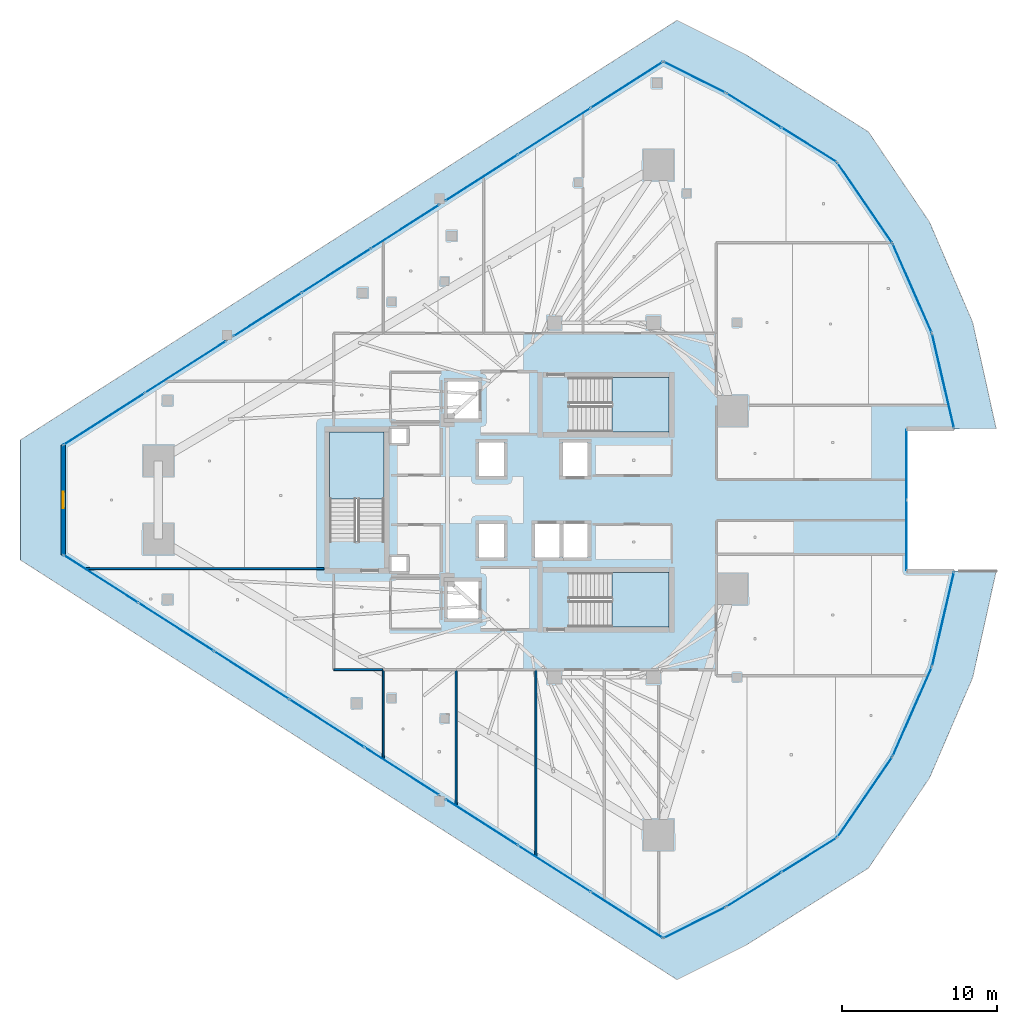
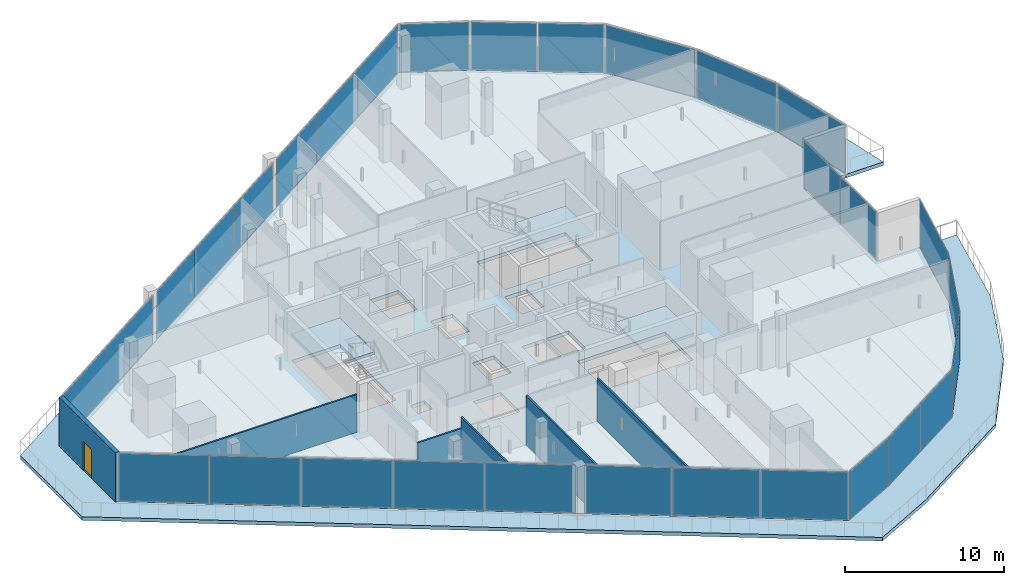
# One storey, part 24 of 37: 30 plates, 6 walls, 5 slabs, 1 door, 1 opening, 19 elements without a shape of their own.
"""IFC4 building model written with IfcOpenShell, lengths in metres."""

from ifc_helpers import new_model, si_unit, direction, frame, frame_2d, origin, origin_2d, place, context, subcontext, project, spatial, polyline, rectangle, outline, extrude, material, layer, layer_set, type_object, element, fill, aggregate, save


model = new_model("IFC4")

# Units and contexts
model_context = context("Model", 3, precision=1e-05, world=origin(), true_north=direction((0.0, 1.0)))
body_context = subcontext(model_context, "Body", "Model", "MODEL_VIEW")
ifc_project = project(units=[si_unit("LENGTHUNIT", "METRE"), si_unit("AREAUNIT", "SQUARE_METRE"), si_unit("VOLUMEUNIT", "CUBIC_METRE"), si_unit("PLANEANGLEUNIT", "RADIAN"), si_unit("MASSUNIT", "GRAM", prefix="KILO")], contexts=[model_context])

# Site, building, storey
site_placement = place(None, origin())
site = spatial("IfcSite", under=ifc_project, at=site_placement, CompositionType="ELEMENT")
building_placement = place(site_placement, origin())
building = spatial("IfcBuilding", under=site, at=building_placement, Name="Qorvath Tower", CompositionType="ELEMENT")
storey_placement = place(building_placement, frame((0.0, 0.0, 188.85009765625)))
storey = spatial("IfcBuildingStorey", under=building, at=storey_placement, Name="L43", CompositionType="ELEMENT", Elevation=188.85009765625)

# Curtain wall, plates
ifc_material_1 = material(Name="Anodised aluminium and triple low-E glass", Category="aluminium")
ifc_layer_1 = layer(ifc_material_1, 0.179931640625)
ifc_layer_set_1 = layer_set([ifc_layer_1], Name="CW-SYS-3")
curtain_wall_type = type_object("IfcCurtainWallType", Name="CW-SYS-3", PredefinedType="NOTDEFINED", material=ifc_layer_set_1)
curtain_wall_1_placement = place(storey_placement, origin())
curtain_wall_1 = element("IfcCurtainWall", 1, at=curtain_wall_1_placement, inside=storey, type_object=curtain_wall_type, Name="Curtain Wall CW-3 CW-T-L43-2.1", PredefinedType="NOTDEFINED")
ifc_material_2 = material(Name="Low-E triple insulated glass", Category="glass")
ifc_layer_2 = layer(ifc_material_2, 0.031982421875)
ifc_layer_set_2 = layer_set([ifc_layer_2], Name="CWP-GLZ-32")
plate_type = type_object("IfcPlateType", Name="CWP-GLZ-32", PredefinedType="CURTAIN_PANEL", material=ifc_layer_set_2)
plate_1_placement = place(storey_placement, frame((-52.881103515625, -5.103515625, 0.06494140625), z_axis=(0.0, 0.0, 1.0), x_axis=(0.842606647014, -0.53852951489, 0.0)))
plate_1 = element("IfcPlate", 2, at=plate_1_placement, type_object=plate_type, Name="CW-3 panel 1.1", PredefinedType="CURTAIN_PANEL", context=body_context, shape_type="SweptSolid", body=[
    extrude(rectangle(XDim=5.677734375, YDim=0.031982421875, at=origin_2d()), origin(), (0.0, 0.0, 1.0), 3.64990234375),
])
plate_2_placement = place(storey_placement, frame((-48.028564453125, -8.204833984375, 0.06494140625), z_axis=(0.0, 0.0, 1.0), x_axis=(0.842606647014, -0.53852951489, 0.0)))
plate_2 = element("IfcPlate", 3, at=plate_2_placement, type_object=plate_type, Name="CW-3 panel 2.1", PredefinedType="CURTAIN_PANEL", context=body_context, shape_type="SweptSolid", body=[
    extrude(rectangle(XDim=5.710205078125, YDim=0.031982421875, at=origin_2d()), origin(), (0.0, 0.0, 1.0), 3.64990234375),
])
plate_3_placement = place(storey_placement, frame((-43.162353515625, -11.31494140625, 0.06494140625), z_axis=(0.0, 0.0, 1.0), x_axis=(0.842606647014, -0.53852951489, 0.0)))
plate_3 = element("IfcPlate", 4, at=plate_3_placement, type_object=plate_type, Name="CW-3 panel 3.1", PredefinedType="CURTAIN_PANEL", context=body_context, shape_type="SweptSolid", body=[
    extrude(rectangle(XDim=5.710205078125, YDim=0.031982421875, at=origin_2d()), origin(), (0.0, 0.0, 1.0), 3.64990234375),
])
plate_4_placement = place(storey_placement, frame((-38.2958984375, -14.425048828125, 0.06494140625), z_axis=(0.0, 0.0, 1.0), x_axis=(0.842606647014, -0.53852951489, 0.0)))
plate_4 = element("IfcPlate", 5, at=plate_4_placement, type_object=plate_type, Name="CW-3 panel 4.1", PredefinedType="CURTAIN_PANEL", context=body_context, shape_type="SweptSolid", body=[
    extrude(rectangle(XDim=5.710205078125, YDim=0.031982421875, at=origin_2d()), origin(), (0.0, 0.0, 1.0), 3.64990234375),
])
plate_5_placement = place(storey_placement, frame((-33.443359375, -17.5263671875, 0.06494140625), z_axis=(0.0, 0.0, 1.0), x_axis=(0.842606647014, -0.53852951489, 0.0)))
plate_5 = element("IfcPlate", 6, at=plate_5_placement, type_object=plate_type, Name="CW-3 panel 5.1", PredefinedType="CURTAIN_PANEL", context=body_context, shape_type="SweptSolid", body=[
    extrude(rectangle(XDim=5.677734375, YDim=0.031982421875, at=origin_2d()), origin(), (0.0, 0.0, 1.0), 3.64990234375),
])
aggregate(curtain_wall_1, [plate_1, plate_2, plate_3, plate_4, plate_5])

curtain_wall_2_placement = place(storey_placement, origin())
curtain_wall_2 = element("IfcCurtainWall", 7, at=curtain_wall_2_placement, inside=storey, type_object=curtain_wall_type, Name="Curtain Wall CW-3 CW-T-L43-2.2", PredefinedType="NOTDEFINED")
plate_6_placement = place(storey_placement, frame((-28.284912109375, -20.823486328125, 0.06494140625), z_axis=(0.0, 0.0, 1.0), x_axis=(0.842605547852, -0.538531234683, 0.0)))
plate_6 = element("IfcPlate", 8, at=plate_6_placement, type_object=plate_type, Name="CW-3 panel 1.1", PredefinedType="CURTAIN_PANEL", context=body_context, shape_type="SweptSolid", body=[
    extrude(rectangle(XDim=5.474365234375, YDim=0.031982421875, at=origin_2d()), origin(), (0.0, 0.0, 1.0), 3.64990234375),
])
plate_7_placement = place(storey_placement, frame((-23.603759765625, -23.8154296875, 0.06494140625), z_axis=(0.0, 0.0, 1.0), x_axis=(0.842605547852, -0.538531234683, 0.0)))
plate_7 = element("IfcPlate", 9, at=plate_7_placement, type_object=plate_type, Name="CW-3 panel 2.1", PredefinedType="CURTAIN_PANEL", context=body_context, shape_type="SweptSolid", body=[
    extrude(rectangle(XDim=5.5068359375, YDim=0.031982421875, at=origin_2d()), origin(), (0.0, 0.0, 1.0), 3.64990234375),
])
plate_8_placement = place(storey_placement, frame((-18.92236328125, -26.807373046875, 0.06494140625), z_axis=(0.0, 0.0, 1.0), x_axis=(0.842605547852, -0.538531234683, 0.0)))
plate_8 = element("IfcPlate", 10, at=plate_8_placement, type_object=plate_type, Name="CW-3 panel 3.1", PredefinedType="CURTAIN_PANEL", context=body_context, shape_type="SweptSolid", body=[
    extrude(rectangle(XDim=5.474365234375, YDim=0.031982421875, at=origin_2d()), origin(), (0.0, 0.0, 1.0), 3.64990234375),
])
aggregate(curtain_wall_2, [plate_6, plate_7, plate_8])

# Curtain wall, plate
curtain_wall_3_placement = place(storey_placement, origin())
curtain_wall_3 = element("IfcCurtainWall", 11, at=curtain_wall_3_placement, inside=storey, type_object=curtain_wall_type, Name="Curtain Wall CW-3 CW-T-L43-3.1", PredefinedType="NOTDEFINED")
plate_9_placement = place(storey_placement, frame((-14.538818359375, -27.30517578125, 0.06494140625), z_axis=(0.0, 0.0, 1.0), x_axis=(0.894436035247, 0.447195906569, 0.0)))
plate_9 = element("IfcPlate", 12, at=plate_9_placement, type_object=plate_type, Name="CW-3 panel 1.1", PredefinedType="CURTAIN_PANEL", context=body_context, shape_type="SweptSolid", body=[
    extrude(rectangle(XDim=4.392578125, YDim=0.031982421875, at=origin_2d()), origin(), (0.0, 0.0, 1.0), 3.64990234375),
])
aggregate(curtain_wall_3, [plate_9])

# Curtain wall, plates
curtain_wall_4_placement = place(storey_placement, origin())
curtain_wall_4 = element("IfcCurtainWall", 13, at=curtain_wall_4_placement, inside=storey, type_object=curtain_wall_type, Name="Curtain Wall CW-3 CW-T-L43-4.1", PredefinedType="NOTDEFINED")
plate_10_placement = place(storey_placement, frame((-10.706298828125, -25.1650390625, 0.06494140625), z_axis=(0.0, 0.0, 1.0), x_axis=(0.848464403488, 0.529252450172, 0.0)))
plate_10 = element("IfcPlate", 14, at=plate_10_placement, type_object=plate_type, Name="CW-3 panel 1.1", PredefinedType="CURTAIN_PANEL", context=body_context, shape_type="SweptSolid", body=[
    extrude(rectangle(XDim=4.13623046875, YDim=0.031982421875, at=origin_2d()), origin(), (0.0, 0.0, 1.0), 3.64990234375),
])
plate_11_placement = place(storey_placement, frame((-7.1416015625, -22.94140625, 0.06494140625), z_axis=(0.0, 0.0, 1.0), x_axis=(0.848464403488, 0.529252450172, 0.0)))
plate_11 = element("IfcPlate", 15, at=plate_11_placement, type_object=plate_type, Name="CW-3 panel 2.1", PredefinedType="CURTAIN_PANEL", context=body_context, shape_type="SweptSolid", body=[
    extrude(rectangle(XDim=4.13623046875, YDim=0.031982421875, at=origin_2d()), origin(), (0.0, 0.0, 1.0), 3.64990234375),
])
aggregate(curtain_wall_4, [plate_10, plate_11])

# Curtain wall, plate
curtain_wall_5_placement = place(storey_placement, origin())
curtain_wall_5 = element("IfcCurtainWall", 16, at=curtain_wall_5_placement, inside=storey, type_object=curtain_wall_type, Name="Curtain Wall CW-3 CW-T-L43-5.1", PredefinedType="NOTDEFINED")
plate_12_placement = place(storey_placement, frame((-3.542724609375, -19.196044921875, 0.06494140625), z_axis=(0.0, 0.0, 1.0), x_axis=(0.564436196882, 0.825476698429, 0.0)))
plate_12 = element("IfcPlate", 17, at=plate_12_placement, type_object=plate_type, Name="CW-3 panel 1.1", PredefinedType="CURTAIN_PANEL", context=body_context, shape_type="SweptSolid", body=[
    extrude(rectangle(XDim=6.209228515625, YDim=0.031982421875, at=origin_2d()), origin(), (0.0, 0.0, 1.0), 3.64990234375),
])
aggregate(curtain_wall_5, [plate_12])

curtain_wall_6_placement = place(storey_placement, origin())
curtain_wall_6 = element("IfcCurtainWall", 18, at=curtain_wall_6_placement, inside=storey, type_object=curtain_wall_type, Name="Curtain Wall CW-3 CW-T-L43-6.1", PredefinedType="NOTDEFINED")
plate_13_placement = place(storey_placement, frame((-0.47900390625, -13.677734375, 0.06494140625), z_axis=(0.0, 0.0, 1.0), x_axis=(0.402206183786, 0.915549117046, 0.0)))
plate_13 = element("IfcPlate", 19, at=plate_13_placement, type_object=plate_type, Name="CW-3 panel 1.1", PredefinedType="CURTAIN_PANEL", context=body_context, shape_type="SweptSolid", body=[
    extrude(rectangle(XDim=6.208984375, YDim=0.031982421875, at=origin_2d()), origin(), (0.0, 0.0, 1.0), 3.64990234375),
])
aggregate(curtain_wall_6, [plate_13])

curtain_wall_7_placement = place(storey_placement, origin())
curtain_wall_7 = element("IfcCurtainWall", 20, at=curtain_wall_7_placement, inside=storey, type_object=curtain_wall_type, Name="Curtain Wall CW-3 CW-T-L43-7.1", PredefinedType="NOTDEFINED")
plate_14_placement = place(storey_placement, frame((1.512451171875, -7.688232421875, 0.06494140625), z_axis=(0.0, 0.0, 1.0), x_axis=(0.226069032147, 0.974111283532, 0.0)))
plate_14 = element("IfcPlate", 21, at=plate_14_placement, type_object=plate_type, Name="CW-3 panel 1.1", PredefinedType="CURTAIN_PANEL", context=body_context, shape_type="SweptSolid", body=[
    extrude(rectangle(XDim=6.209228515625, YDim=0.031982421875, at=origin_2d()), origin(), (0.0, 0.0, 1.0), 3.64990234375),
])
aggregate(curtain_wall_7, [plate_14])

# Curtain wall, plates
curtain_wall_8_placement = place(storey_placement, origin())
curtain_wall_8 = element("IfcCurtainWall", 22, at=curtain_wall_8_placement, inside=storey, type_object=curtain_wall_type, Name="Curtain Wall CW-3 CW-T-L43-9.1", PredefinedType="NOTDEFINED")
plate_15_placement = place(storey_placement, frame((-0.83837890625, -2.2841796875, 0.06494140625), z_axis=(0.0, 0.0, 1.0), x_axis=(0.0, 1.0, 0.0)))
plate_15 = element("IfcPlate", 23, at=plate_15_placement, type_object=plate_type, Name="CW-3 panel 1.1", PredefinedType="CURTAIN_PANEL", context=body_context, shape_type="SweptSolid", body=[
    extrude(rectangle(XDim=4.50341796875, YDim=0.031982421875, at=origin_2d()), origin(), (0.0, 0.0, 1.0), 3.64990234375),
])
plate_16_placement = place(storey_placement, frame((-0.83837890625, 2.2841796875, 0.06494140625), z_axis=(0.0, 0.0, 1.0), x_axis=(0.0, 1.0, 0.0)))
plate_16 = element("IfcPlate", 24, at=plate_16_placement, type_object=plate_type, Name="CW-3 panel 2.1", PredefinedType="CURTAIN_PANEL", context=body_context, shape_type="SweptSolid", body=[
    extrude(rectangle(XDim=4.50341796875, YDim=0.031982421875, at=origin_2d()), origin(), (0.0, 0.0, 1.0), 3.64990234375),
])
aggregate(curtain_wall_8, [plate_15, plate_16])

# Curtain wall, plate
curtain_wall_9_placement = place(storey_placement, origin())
curtain_wall_9 = element("IfcCurtainWall", 25, at=curtain_wall_9_placement, inside=storey, type_object=curtain_wall_type, Name="Curtain Wall CW-3 CW-T-L43-11.1", PredefinedType="NOTDEFINED")
plate_17_placement = place(storey_placement, frame((1.512451171875, 7.688232421875, 0.06494140625), z_axis=(0.0, 0.0, 1.0), x_axis=(-0.226069032147, 0.974111283532, 0.0)))
plate_17 = element("IfcPlate", 26, at=plate_17_placement, type_object=plate_type, Name="CW-3 panel 1.1", PredefinedType="CURTAIN_PANEL", context=body_context, shape_type="SweptSolid", body=[
    extrude(rectangle(XDim=6.209228515625, YDim=0.031982421875, at=origin_2d()), origin(), (0.0, 0.0, 1.0), 3.64990234375),
])
aggregate(curtain_wall_9, [plate_17])

curtain_wall_10_placement = place(storey_placement, origin())
curtain_wall_10 = element("IfcCurtainWall", 27, at=curtain_wall_10_placement, inside=storey, type_object=curtain_wall_type, Name="Curtain Wall CW-3 CW-T-L43-12.1", PredefinedType="NOTDEFINED")
plate_18_placement = place(storey_placement, frame((-0.47900390625, 13.677734375, 0.06494140625), z_axis=(0.0, 0.0, 1.0), x_axis=(-0.402206183786, 0.915549117046, 0.0)))
plate_18 = element("IfcPlate", 28, at=plate_18_placement, type_object=plate_type, Name="CW-3 panel 1.1", PredefinedType="CURTAIN_PANEL", context=body_context, shape_type="SweptSolid", body=[
    extrude(rectangle(XDim=6.208984375, YDim=0.031982421875, at=origin_2d()), origin(), (0.0, 0.0, 1.0), 3.64990234375),
])
aggregate(curtain_wall_10, [plate_18])

curtain_wall_11_placement = place(storey_placement, origin())
curtain_wall_11 = element("IfcCurtainWall", 29, at=curtain_wall_11_placement, inside=storey, type_object=curtain_wall_type, Name="Curtain Wall CW-3 CW-T-L43-13.1", PredefinedType="NOTDEFINED")
plate_19_placement = place(storey_placement, frame((-3.542724609375, 19.196044921875, 0.06494140625), z_axis=(0.0, 0.0, 1.0), x_axis=(-0.564436196882, 0.825476698429, 0.0)))
plate_19 = element("IfcPlate", 30, at=plate_19_placement, type_object=plate_type, Name="CW-3 panel 1.1", PredefinedType="CURTAIN_PANEL", context=body_context, shape_type="SweptSolid", body=[
    extrude(rectangle(XDim=6.209228515625, YDim=0.031982421875, at=origin_2d()), origin(), (0.0, 0.0, 1.0), 3.64990234375),
])
aggregate(curtain_wall_11, [plate_19])

# Curtain wall, plates
curtain_wall_12_placement = place(storey_placement, origin())
curtain_wall_12 = element("IfcCurtainWall", 31, at=curtain_wall_12_placement, inside=storey, type_object=curtain_wall_type, Name="Curtain Wall CW-3 CW-T-L43-14.1", PredefinedType="NOTDEFINED")
plate_20_placement = place(storey_placement, frame((-7.1416015625, 22.94140625, 0.06494140625), z_axis=(0.0, 0.0, 1.0), x_axis=(-0.848464403488, 0.529252450172, 0.0)))
plate_20 = element("IfcPlate", 32, at=plate_20_placement, type_object=plate_type, Name="CW-3 panel 1.1", PredefinedType="CURTAIN_PANEL", context=body_context, shape_type="SweptSolid", body=[
    extrude(rectangle(XDim=4.13623046875, YDim=0.031982421875, at=origin_2d()), origin(), (0.0, 0.0, 1.0), 3.64990234375),
])
plate_21_placement = place(storey_placement, frame((-10.706298828125, 25.1650390625, 0.06494140625), z_axis=(0.0, 0.0, 1.0), x_axis=(-0.848464403488, 0.529252450172, 0.0)))
plate_21 = element("IfcPlate", 33, at=plate_21_placement, type_object=plate_type, Name="CW-3 panel 2.1", PredefinedType="CURTAIN_PANEL", context=body_context, shape_type="SweptSolid", body=[
    extrude(rectangle(XDim=4.13623046875, YDim=0.031982421875, at=origin_2d()), origin(), (0.0, 0.0, 1.0), 3.64990234375),
])
aggregate(curtain_wall_12, [plate_20, plate_21])

# Curtain wall, plate
curtain_wall_13_placement = place(storey_placement, origin())
curtain_wall_13 = element("IfcCurtainWall", 34, at=curtain_wall_13_placement, inside=storey, type_object=curtain_wall_type, Name="Curtain Wall CW-3 CW-T-L43-15.1", PredefinedType="NOTDEFINED")
plate_22_placement = place(storey_placement, frame((-14.538818359375, 27.30517578125, 0.06494140625), z_axis=(0.0, 0.0, 1.0), x_axis=(-0.894436035247, 0.447195906569, 0.0)))
plate_22 = element("IfcPlate", 35, at=plate_22_placement, type_object=plate_type, Name="CW-3 panel 1.1", PredefinedType="CURTAIN_PANEL", context=body_context, shape_type="SweptSolid", body=[
    extrude(rectangle(XDim=4.392578125, YDim=0.031982421875, at=origin_2d()), origin(), (0.0, 0.0, 1.0), 3.64990234375),
])
aggregate(curtain_wall_13, [plate_22])

# Curtain wall, plates
curtain_wall_14_placement = place(storey_placement, origin())
curtain_wall_14 = element("IfcCurtainWall", 36, at=curtain_wall_14_placement, inside=storey, type_object=curtain_wall_type, Name="Curtain Wall CW-3 CW-T-L43-16.1", PredefinedType="NOTDEFINED")
plate_23_placement = place(storey_placement, frame((-18.92236328125, 26.807373046875, 0.06494140625), z_axis=(0.0, 0.0, 1.0), x_axis=(-0.842605547852, -0.538531234683, 0.0)))
plate_23 = element("IfcPlate", 37, at=plate_23_placement, type_object=plate_type, Name="CW-3 panel 1.1", PredefinedType="CURTAIN_PANEL", context=body_context, shape_type="SweptSolid", body=[
    extrude(rectangle(XDim=5.474365234375, YDim=0.031982421875, at=origin_2d()), origin(), (0.0, 0.0, 1.0), 3.64990234375),
])
plate_24_placement = place(storey_placement, frame((-23.603759765625, 23.8154296875, 0.06494140625), z_axis=(0.0, 0.0, 1.0), x_axis=(-0.842605547852, -0.538531234683, 0.0)))
plate_24 = element("IfcPlate", 38, at=plate_24_placement, type_object=plate_type, Name="CW-3 panel 2.1", PredefinedType="CURTAIN_PANEL", context=body_context, shape_type="SweptSolid", body=[
    extrude(rectangle(XDim=5.5068359375, YDim=0.031982421875, at=origin_2d()), origin(), (0.0, 0.0, 1.0), 3.64990234375),
])
plate_25_placement = place(storey_placement, frame((-28.284912109375, 20.823486328125, 0.06494140625), z_axis=(0.0, 0.0, 1.0), x_axis=(-0.842605547852, -0.538531234683, 0.0)))
plate_25 = element("IfcPlate", 39, at=plate_25_placement, type_object=plate_type, Name="CW-3 panel 3.1", PredefinedType="CURTAIN_PANEL", context=body_context, shape_type="SweptSolid", body=[
    extrude(rectangle(XDim=5.474365234375, YDim=0.031982421875, at=origin_2d()), origin(), (0.0, 0.0, 1.0), 3.64990234375),
])
aggregate(curtain_wall_14, [plate_23, plate_24, plate_25])

curtain_wall_15_placement = place(storey_placement, origin())
curtain_wall_15 = element("IfcCurtainWall", 40, at=curtain_wall_15_placement, inside=storey, type_object=curtain_wall_type, Name="Curtain Wall CW-3 CW-T-L43-16.2", PredefinedType="NOTDEFINED")
plate_26_placement = place(storey_placement, frame((-33.238525390625, 17.657470703125, 0.06494140625), z_axis=(0.0, 0.0, 1.0), x_axis=(-0.842604429493, -0.538532984504, 0.0)))
plate_26 = element("IfcPlate", 41, at=plate_26_placement, type_object=plate_type, Name="CW-3 panel 1.1", PredefinedType="CURTAIN_PANEL", context=body_context, shape_type="SweptSolid", body=[
    extrude(rectangle(XDim=5.19140625, YDim=0.031982421875, at=origin_2d()), origin(), (0.0, 0.0, 1.0), 3.64990234375),
])
plate_27_placement = place(storey_placement, frame((-37.681396484375, 14.81787109375, 0.06494140625), z_axis=(0.0, 0.0, 1.0), x_axis=(-0.842604429493, -0.538532984504, 0.0)))
plate_27 = element("IfcPlate", 42, at=plate_27_placement, type_object=plate_type, Name="CW-3 panel 2.1", PredefinedType="CURTAIN_PANEL", context=body_context, shape_type="SweptSolid", body=[
    extrude(rectangle(XDim=5.223876953125, YDim=0.031982421875, at=origin_2d()), origin(), (0.0, 0.0, 1.0), 3.64990234375),
])
plate_28_placement = place(storey_placement, frame((-42.124267578125, 11.978271484375, 0.06494140625), z_axis=(0.0, 0.0, 1.0), x_axis=(-0.842604429493, -0.538532984504, 0.0)))
plate_28 = element("IfcPlate", 43, at=plate_28_placement, type_object=plate_type, Name="CW-3 panel 3.1", PredefinedType="CURTAIN_PANEL", context=body_context, shape_type="SweptSolid", body=[
    extrude(rectangle(XDim=5.19140625, YDim=0.031982421875, at=origin_2d()), origin(), (0.0, 0.0, 1.0), 3.64990234375),
])
aggregate(curtain_wall_15, [plate_26, plate_27, plate_28])

curtain_wall_16_placement = place(storey_placement, origin())
curtain_wall_16 = element("IfcCurtainWall", 44, at=curtain_wall_16_placement, inside=storey, type_object=curtain_wall_type, Name="Curtain Wall CW-3 CW-T-L43-16.3", PredefinedType="NOTDEFINED")
plate_29_placement = place(storey_placement, frame((-47.42919921875, 8.587890625, 0.06494140625), z_axis=(0.0, 0.0, 1.0), x_axis=(-0.842607468458, -0.538528229621, 0.0)))
plate_29 = element("IfcPlate", 45, at=plate_29_placement, type_object=plate_type, Name="CW-3 panel 1.1", PredefinedType="CURTAIN_PANEL", context=body_context, shape_type="SweptSolid", body=[
    extrude(rectangle(XDim=6.16259765625, YDim=0.031982421875, at=origin_2d()), origin(), (0.0, 0.0, 1.0), 3.64990234375),
])
plate_30_placement = place(storey_placement, frame((-52.6767578125, 5.23388671875, 0.06494140625), z_axis=(0.0, 0.0, 1.0), x_axis=(-0.842607468458, -0.538528229621, 0.0)))
plate_30 = element("IfcPlate", 46, at=plate_30_placement, type_object=plate_type, Name="CW-3 panel 2.1", PredefinedType="CURTAIN_PANEL", context=body_context, shape_type="SweptSolid", body=[
    extrude(rectangle(XDim=6.16259765625, YDim=0.031982421875, at=origin_2d()), origin(), (0.0, 0.0, 1.0), 3.64990234375),
])
aggregate(curtain_wall_16, [plate_29, plate_30])

# Stair, slab
ifc_material_3 = material(Name="Concrete C50/60", Category="concrete")
stair_type = type_object("IfcStairType", Name="ST-H405", PredefinedType="HALF_TURN_STAIR", material=ifc_material_3)
stair_1_placement = place(storey_placement, origin())
stair_1 = element("IfcStair", 47, at=stair_1_placement, inside=storey, type_object=stair_type, Name="L43 Tower Exit Stair 1", PredefinedType="HALF_TURN_STAIR")
ifc_material_4 = material(Name="Concrete C50/60", Category="concrete")
ifc_layer_3 = layer(ifc_material_4, 0.199951171875)
ifc_layer_set_3 = layer_set([ifc_layer_3], Name="SL-LND-200")
slab_type_1 = type_object("IfcSlabType", Name="SL-LND-200", PredefinedType="LANDING", material=ifc_layer_set_3)
slab_1_placement = place(storey_placement, frame((0.0, 0.0, 1.824951171875)))
slab_1 = element("IfcSlab", 48, at=slab_1_placement, type_object=slab_type_1, Name="TS1 landing 1", PredefinedType="LANDING", context=body_context, shape_type="SweptSolid", body=[
    extrude(outline(polyline([(-19.8701171875, 4.39990234375), (-16.199951171875, 4.39990234375), (-16.199951171875, 7.909912109375), (-19.8701171875, 7.909912109375), (-19.8701171875, 4.39990234375)])), origin(), (0.0, 0.0, 1.0), 0.199951171875),
])
aggregate(stair_1, [slab_1])

stair_2_placement = place(storey_placement, origin())
stair_2 = element("IfcStair", 49, at=stair_2_placement, inside=storey, type_object=stair_type, Name="L43 Tower Exit Stair 2", PredefinedType="HALF_TURN_STAIR")
slab_2_placement = place(storey_placement, frame((0.0, 0.0, 1.824951171875)))
slab_2 = element("IfcSlab", 50, at=slab_2_placement, type_object=slab_type_1, Name="TS2 landing 1", PredefinedType="LANDING", context=body_context, shape_type="SweptSolid", body=[
    extrude(outline(polyline([(-19.8701171875, -8.199951171875), (-16.199951171875, -8.199951171875), (-16.199951171875, -4.68994140625), (-19.8701171875, -4.68994140625), (-19.8701171875, -8.199951171875)])), origin(), (0.0, 0.0, 1.0), 0.199951171875),
])
aggregate(stair_2, [slab_2])

stair_3_placement = place(storey_placement, origin())
stair_3 = element("IfcStair", 51, at=stair_3_placement, inside=storey, type_object=stair_type, Name="L43 Tower Exit Stair 3", PredefinedType="HALF_TURN_STAIR")
slab_3_placement = place(storey_placement, frame((0.0, 0.0, 1.824951171875)))
slab_3 = element("IfcSlab", 52, at=slab_3_placement, type_object=slab_type_1, Name="TS3 landing 1", PredefinedType="LANDING", context=body_context, shape_type="SweptSolid", body=[
    extrude(outline(polyline([(-34.60009765625, 0.080078125), (-34.60009765625, 4.39990234375), (-38.110107421875, 4.39990234375), (-38.110107421875, 0.080078125), (-34.60009765625, 0.080078125)])), origin(), (0.0, 0.0, 1.0), 0.199951171875),
])
aggregate(stair_3, [slab_3])

# Slabs
ifc_material_5 = material(Name="Precast concrete C45/55", Category="concrete")
ifc_layer_4 = layer(ifc_material_5, 0.27001953125)
ifc_layer_set_4 = layer_set([ifc_layer_4], Name="SL-LOG-270")
slab_type_2 = type_object("IfcSlabType", Name="SL-LOG-270", PredefinedType="FLOOR", material=ifc_layer_set_4)
slab_4_placement = place(storey_placement, frame((0.0, 0.0, -0.27001953125)))
element("IfcSlab", 53, at=slab_4_placement, inside=storey, type_object=slab_type_2, Name="Tower L43 Perimeter Loggia and Terrace Slab", PredefinedType="FLOOR", context=body_context, shape_type="SweptSolid", body=[
    extrude(outline(polyline([(2.22900390625, -4.600830078125), (0.7958984375, -10.77587890625), (-1.753662109375, -16.57958984375), (-5.331787109375, -21.8125), (-12.51611328125, -26.2939453125), (-16.561279296875, -28.31640625), (-55.327880859375, -3.53955078125), (-55.327880859375, 3.53955078125), (-16.561279296875, 28.31640625), (-12.51611328125, 26.2939453125), (-5.331787109375, 21.8125), (-1.753662109375, 16.57958984375), (0.7958984375, 10.77587890625), (2.22900390625, 4.600830078125), (4.9453125, 4.600830078125), (3.4228515625, 11.4794921875), (0.636474609375, 17.95068359375), (-3.314697265625, 23.78369140625), (-11.245361328125, 28.771484375), (-15.671875, 30.984619140625), (-58.09130859375, 3.873046875), (-58.09130859375, -3.873046875), (-15.671875, -30.984619140625), (-11.245361328125, -28.771484375), (-3.314697265625, -23.78369140625), (0.636474609375, -17.95068359375), (3.4228515625, -11.4794921875), (4.9453125, -4.600830078125), (2.22900390625, -4.600830078125)])), origin(), (0.0, 0.0, 1.0), 0.27001953125),
])
ifc_material_6 = material(Name="Concrete C45/55", Category="concrete")
ifc_layer_5 = layer(ifc_material_6, 0.27001953125)
ifc_layer_set_5 = layer_set([ifc_layer_5], Name="SL-MID-270")
slab_type_3 = type_object("IfcSlabType", Name="SL-MID-270", PredefinedType="FLOOR", material=ifc_layer_set_5)
slab_5_placement = place(storey_placement, frame((0.0, 0.0, -0.27001953125)))
element("IfcSlab", 54, at=slab_5_placement, inside=storey, type_object=slab_type_3, Name="Tower L43 Interior Floor Slab", PredefinedType="FLOOR", context=body_context, shape_type="SweptSolid", body=[
    extrude(outline(polyline([(-55.327880859375, 3.53955078125), (-55.327880859375, -3.53955078125), (-16.561279296875, -28.31640625), (-12.51611328125, -26.2939453125), (-5.331787109375, -21.8125), (-1.753662109375, -16.57958984375), (0.7958984375, -10.77587890625), (2.22900390625, -4.600830078125), (-0.83837890625, -4.600830078125), (-0.83837890625, 4.600830078125), (2.22900390625, 4.600830078125), (0.7958984375, 10.77587890625), (-1.753662109375, 16.57958984375), (-5.331787109375, 21.8125), (-12.51611328125, 26.2939453125), (-16.561279296875, 28.31640625), (-55.327880859375, 3.53955078125)]), holes=[polyline([(-16.2451171875, -8.199951171875), (-22.625, -8.199951171875), (-22.625, -4.68994140625), (-16.2451171875, -4.68994140625), (-16.2451171875, -8.199951171875)]), polyline([(-22.625, 4.39990234375), (-22.625, 7.909912109375), (-16.2451171875, 7.909912109375), (-16.2451171875, 4.39990234375), (-22.625, 4.39990234375)]), polyline([(-21.449951171875, -3.699951171875), (-23.050048828125, -3.699951171875), (-23.050048828125, -1.550048828125), (-21.449951171875, -1.550048828125), (-21.449951171875, -3.699951171875)]), polyline([(-23.050048828125, 1.550048828125), (-23.050048828125, 3.699951171875), (-21.449951171875, 3.699951171875), (-21.449951171875, 1.550048828125), (-23.050048828125, 1.550048828125)]), polyline([(-24.85009765625, -3.699951171875), (-24.85009765625, -1.550048828125), (-23.25, -1.550048828125), (-23.25, -3.699951171875), (-24.85009765625, -3.699951171875)]), polyline([(-28.449951171875, -3.699951171875), (-28.449951171875, -1.550048828125), (-26.85009765625, -1.550048828125), (-26.85009765625, -3.699951171875), (-28.449951171875, -3.699951171875)]), polyline([(-26.85009765625, 1.550048828125), (-28.449951171875, 1.550048828125), (-28.449951171875, 3.699951171875), (-26.85009765625, 3.699951171875), (-26.85009765625, 1.550048828125)]), polyline([(-28.5, -7.64990234375), (-30.5, -7.64990234375), (-30.5, -5.25), (-28.5, -5.25), (-28.5, -7.64990234375)]), polyline([(-30.5, 5.25), (-30.5, 7.64990234375), (-28.5, 7.64990234375), (-28.5, 5.25), (-30.5, 5.25)]), polyline([(-34.14990234375, -4.6201171875), (-34.14990234375, -3.64990234375), (-33.10009765625, -3.64990234375), (-33.10009765625, -4.6201171875), (-34.14990234375, -4.6201171875)]), polyline([(-34.14990234375, 3.64990234375), (-34.14990234375, 4.6201171875), (-33.10009765625, 4.6201171875), (-33.10009765625, 3.64990234375), (-34.14990234375, 3.64990234375)]), polyline([(-34.60009765625, -2.675048828125), (-38.110107421875, -2.675048828125), (-38.110107421875, 4.35498046875), (-34.60009765625, 4.35498046875), (-34.60009765625, -2.675048828125)])]), origin(), (0.0, 0.0, 1.0), 0.27001953125),
])

# Walls
ifc_material_7 = material(Name="Gypsum board on metal studs with mineral wool", Category="gypsum")
ifc_layer_6 = layer(ifc_material_7, 0.125)
ifc_layer_set_6 = layer_set([ifc_layer_6], Name="IW-PART-125")
wall_type_1 = type_object("IfcWallType", Name="IW-PART-125", PredefinedType="PARTITIONING", material=ifc_layer_set_6)
wall_1_placement = place(storey_placement, frame((-34.64990234375, -10.98291015625, 0.0), z_axis=(0.0, 0.0, 1.0), x_axis=(0.0, -1.0, 0.0)))
element("IfcWall", 55, at=wall_1_placement, inside=storey, type_object=wall_type_1, Name="Interior Partition IW-T1-L43-033", PredefinedType="PARTITIONING", context=body_context, shape_type="SweptSolid", body=[
    extrude(rectangle(XDim=5.692626953125, YDim=0.125, at=frame_2d((2.84619140625, 0.0))), origin(), (0.0, 0.0, 1.0), 3.77978515625),
])
wall_2_placement = place(storey_placement, frame((-29.937744140625, -19.687255859375, 0.0), z_axis=(0.0, 0.0, 1.0), x_axis=(0.0, 1.0, 0.0)))
element("IfcWall", 56, at=wall_2_placement, inside=storey, type_object=wall_type_1, Name="Interior Partition IW-T1-L43-034", PredefinedType="PARTITIONING", context=body_context, shape_type="SweptSolid", body=[
    extrude(rectangle(XDim=8.704345703125, YDim=0.125, at=frame_2d((4.35205078125, 0.0))), origin(), (0.0, 0.0, 1.0), 3.77978515625),
])
wall_3_placement = place(storey_placement, frame((-24.79248046875, -22.9755859375, 0.0), z_axis=(0.0, 0.0, 1.0), x_axis=(0.0, 1.0, 0.0)))
element("IfcWall", 57, at=wall_3_placement, inside=storey, type_object=wall_type_1, Name="Interior Partition IW-T1-L43-035", PredefinedType="PARTITIONING", context=body_context, shape_type="SweptSolid", body=[
    extrude(rectangle(XDim=11.99267578125, YDim=0.125, at=frame_2d((5.996337890625, 0.0))), origin(), (0.0, 0.0, 1.0), 3.343994140625),
])
wall_4_placement = place(storey_placement, frame((-37.8330078125, -10.9580078125, 0.0), z_axis=(0.0, 0.0, 1.0), x_axis=(1.0, 0.0, 0.0)))
element("IfcWall", 58, at=wall_4_placement, inside=storey, type_object=wall_type_1, Name="Interior Partition IW-T1-L43-053", PredefinedType="PARTITIONING", context=body_context, shape_type="SweptSolid", body=[
    extrude(rectangle(XDim=3.14990234375, YDim=0.125, at=frame_2d((1.574951171875, 0.0))), origin(), (0.0, 0.0, 1.0), 2.899658203125),
])
wall_5_placement = place(storey_placement, frame((-38.492919921875, -4.43408203125, 0.0), z_axis=(0.0, 0.0, 1.0), x_axis=(-1.0, 0.0, 0.0)))
element("IfcWall", 59, at=wall_5_placement, inside=storey, type_object=wall_type_1, Name="Interior Partition IW-T1-L43-055", PredefinedType="PARTITIONING", context=body_context, shape_type="SweptSolid", body=[
    extrude(rectangle(XDim=15.355224609375, YDim=0.125, at=frame_2d((7.677734375, 0.0))), origin(), (0.0, 0.0, 1.0), 2.899658203125),
])

# Wall, opening, door
ifc_material_8 = material(Name="Precast concrete C45/55", Category="concrete")
ifc_layer_7 = layer(ifc_material_8, 0.300048828125)
ifc_layer_set_7 = layer_set([ifc_layer_7], Name="WL-EW-LOG-300")
wall_type_2 = type_object("IfcWallType", Name="WL-EW-LOG-300", PredefinedType="SOLIDWALL", material=ifc_layer_set_7)
wall_6_placement = place(storey_placement, frame((-55.327880859375, -3.53955078125, 0.0), z_axis=(0.0, 0.0, 1.0), x_axis=(0.0, 1.0, 0.0)))
wall_6 = element("IfcWall", 60, at=wall_6_placement, inside=storey, type_object=wall_type_2, Name="Tower Precast Loggia Wall L43-1.1", PredefinedType="SOLIDWALL", context=body_context, shape_type="SweptSolid", body=[
    extrude(rectangle(XDim=7.0791015625, YDim=0.300048828125, at=frame_2d((3.53955078125, 0.0))), origin(), (0.0, 0.0, 1.0), 3.77978515625),
])
opening_placement = place(wall_6_placement, frame((3.0146484375, 0.0, 0.0)))
opening = element("IfcOpeningElement", 61, at=opening_placement, cuts=wall_6, Name="Opening ED-L43-01", PredefinedType="OPENING", context=body_context, shape_type="SweptSolid", body=[
    extrude(rectangle(XDim=1.050048828125, YDim=2.199951171875, at=frame_2d((0.52490234375, 1.10009765625))), frame((0.0, 0.16015625, 0.0), z_axis=(0.0, -1.0, 0.0), x_axis=(1.0, 0.0, 0.0)), (0.0, 0.0, 1.0), 0.320068359375),
])
ifc_material_9 = material(Name="Thermally broken aluminium glazed door", Category="aluminium")
door_type = type_object("IfcDoorType", Name="ED-LOG", OperationType="NOTDEFINED", PredefinedType="DOOR", material=ifc_material_9)
door_placement = place(opening_placement, origin())
door = element("IfcDoor", 62, at=door_placement, inside=storey, type_object=door_type, Name="L43 Recessed Loggia Access Door 1", OperationType="SINGLE_SWING_RIGHT", OverallHeight=2.199951171875, OverallWidth=1.050048828125, PredefinedType="DOOR", context=body_context, shape_type="SweptSolid", body=[
    extrude(rectangle(XDim=1.050048828125, YDim=2.199951171875, at=frame_2d((0.52490234375, 1.10009765625))), frame((0.0, 0.02490234375, 0.0), z_axis=(0.0, -1.0, 0.0), x_axis=(1.0, 0.0, 0.0)), (0.0, 0.0, 1.0), 0.050048828125),
])
fill(opening, door)

save(model, "model.ifc")
